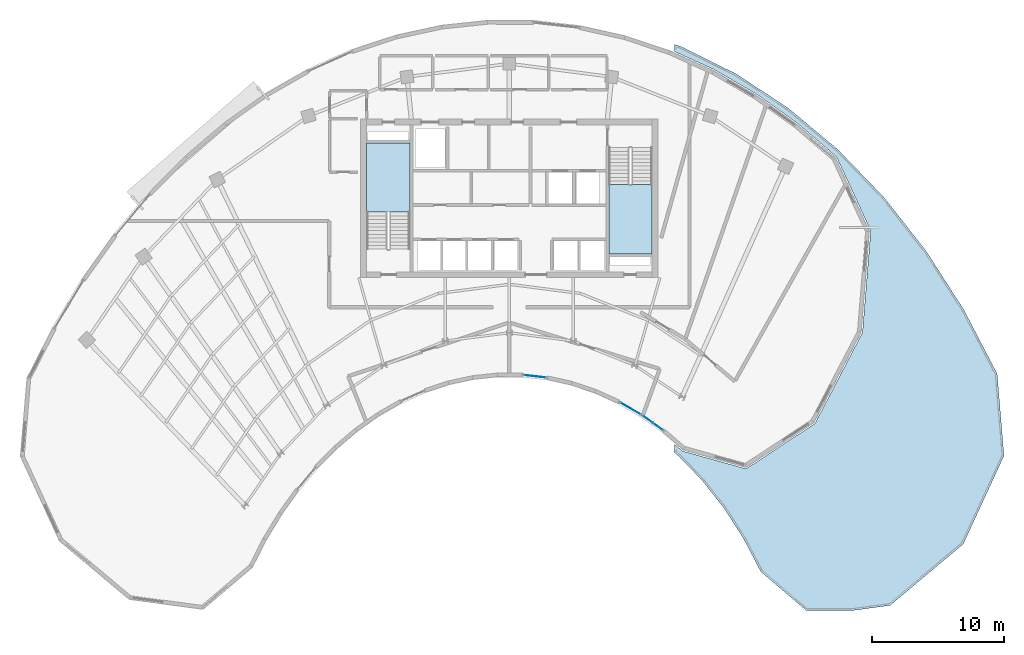
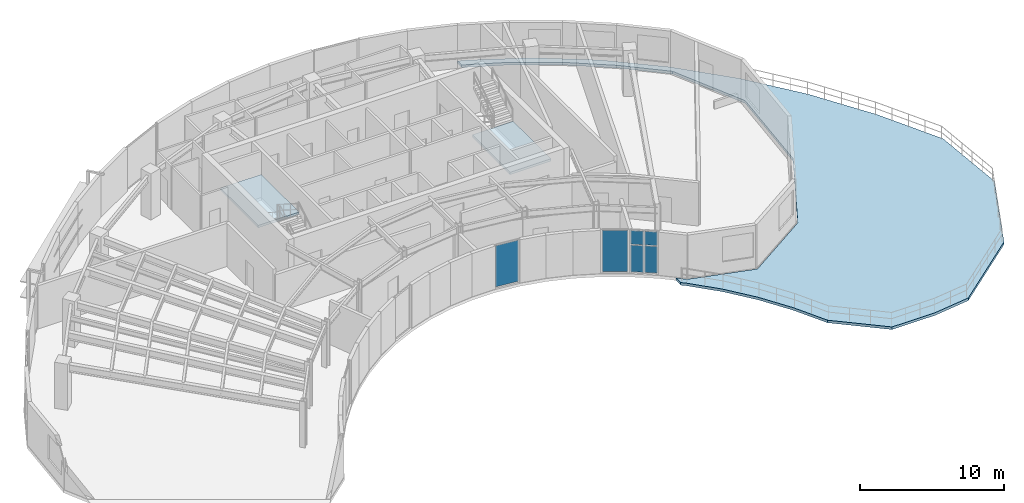
# One storey, part 6 of 15: 6 plates, 3 slabs, 5 elements without a shape of their own.
"""IFC4 building model written with IfcOpenShell, lengths in metres."""

from ifc_helpers import new_model, si_unit, direction, frame, origin, origin_2d, place, context, subcontext, project, spatial, polyline, rectangle, outline, extrude, source, transform, mapped, material, layer, layer_set, type_object, element, aggregate, save


model = new_model("IFC4")

# Units and contexts
model_context = context("Model", 3, precision=1e-05, world=origin(), true_north=direction((0.0, 1.0)))
body_context = subcontext(model_context, "Body", "Model", "MODEL_VIEW")
ifc_project = project(units=[si_unit("LENGTHUNIT", "METRE"), si_unit("AREAUNIT", "SQUARE_METRE"), si_unit("VOLUMEUNIT", "CUBIC_METRE"), si_unit("PLANEANGLEUNIT", "RADIAN"), si_unit("MASSUNIT", "GRAM", prefix="KILO")], contexts=[model_context])

# Site, building, storey
site_placement = place(None, origin())
site = spatial("IfcSite", under=ifc_project, at=site_placement, CompositionType="ELEMENT")
building_placement = place(site_placement, origin())
building = spatial("IfcBuilding", under=site, at=building_placement, Name="Breltana Convention Tower", CompositionType="ELEMENT")
storey_placement = place(building_placement, frame((0.0, 0.0, 231.300048828125)))
storey = spatial("IfcBuildingStorey", under=building, at=storey_placement, Name="L56", CompositionType="ELEMENT", Elevation=231.300048828125)

# Stair, slab
ifc_material_1 = material(Name="Concrete C40/50", Category="concrete")
stair_type = type_object("IfcStairType", Name="ST-DOG-1560-R177", PredefinedType="HALF_TURN_STAIR", material=ifc_material_1)
stair_1_placement = place(storey_placement, origin())
stair_1 = element("IfcStair", 1, at=stair_1_placement, inside=storey, type_object=stair_type, Name="L56 Protected Core Exit Stair ST-1", PredefinedType="HALF_TURN_STAIR")
ifc_layer_1 = layer(ifc_material_1, 0.199951171875, Name="Concrete C40/50")
ifc_layer_set_1 = layer_set([ifc_layer_1], Name="Concrete C40/50")
slab_type_1 = type_object("IfcSlabType", Name="SL-STAIR-LANDING-200", PredefinedType="LANDING", material=ifc_layer_set_1)
slab_1_placement = place(storey_placement, frame((0.0, 0.0, 1.75)))
slab_1 = element("IfcSlab", 2, at=slab_1_placement, type_object=slab_type_1, Name="ST-1 landing 1", PredefinedType="LANDING", context=body_context, shape_type="SweptSolid", body=[
    extrude(outline(polyline([(40.469970703125, 65.159912109375), (40.469970703125, 70.39990234375), (37.199951171875, 70.39990234375), (37.199951171875, 65.159912109375), (40.469970703125, 65.159912109375)])), origin(), (0.0, 0.0, 1.0), 0.199951171875),
])
aggregate(stair_1, [slab_1])

stair_2_placement = place(storey_placement, origin())
stair_2 = element("IfcStair", 3, at=stair_2_placement, inside=storey, type_object=stair_type, Name="L56 Protected Core Exit Stair ST-2", PredefinedType="HALF_TURN_STAIR")
slab_2_placement = place(storey_placement, frame((0.0, 0.0, 1.75)))
slab_2 = element("IfcSlab", 4, at=slab_2_placement, type_object=slab_type_1, Name="ST-2 landing 1", PredefinedType="LANDING", context=body_context, shape_type="SweptSolid", body=[
    extrude(outline(polyline([(55.530029296875, 67.239990234375), (55.530029296875, 62.0), (58.800048828125, 62.0), (58.800048828125, 67.239990234375), (55.530029296875, 67.239990234375)])), origin(), (0.0, 0.0, 1.0), 0.199951171875),
])
aggregate(stair_2, [slab_2])

# Slab
ifc_layer_2 = layer(ifc_material_1, 0.219970703125, Name="Concrete C40/50")
ifc_layer_set_2 = layer_set([ifc_layer_2], Name="Concrete C40/50")
slab_type_2 = type_object("IfcSlabType", Name="SL-TERR-220", PredefinedType="FLOOR", material=ifc_layer_set_2)
slab_3_placement = place(storey_placement, frame((0.0, 0.0, -0.219970703125)))
element("IfcSlab", 5, at=slab_3_placement, inside=storey, type_object=slab_type_2, Name="L56 East Crescent Shoulder Sky Terrace 1", PredefinedType="FLOOR", context=body_context, shape_type="SweptSolid", body=[
    extrude(outline(polyline([(82.354736328125, 40.0185546875), (76.8251953125, 35.388427734375), (73.960205078125, 35.0), (70.498779296875, 35.0), (67.038818359375, 37.941650390625), (65.739013671875, 40.43798828125), (64.2578125, 42.745849609375), (62.60986328125, 44.84130859375), (60.8125, 46.70263671875), (60.5, 46.96337890625), (60.5, 47.60302734375), (61.095703125, 47.091064453125), (61.10107421875, 47.0869140625), (61.106689453125, 47.08349609375), (61.112548828125, 47.080810546875), (61.118896484375, 47.07861328125), (65.905029296875, 45.7431640625), (65.91064453125, 45.741943359375), (65.916259765625, 45.7412109375), (65.922119140625, 45.740966796875), (65.927734375, 45.7412109375), (65.933349609375, 45.7421875), (65.938720703125, 45.74365234375), (65.944091796875, 45.74560546875), (65.94921875, 45.748046875), (65.9541015625, 45.7509765625), (71.125, 49.16015625), (71.1298828125, 49.163818359375), (71.134521484375, 49.16796875), (71.138671875, 49.17236328125), (71.14208984375, 49.17724609375), (71.145263671875, 49.1826171875), (74.7255859375, 56.0341796875), (74.72802734375, 56.039794921875), (74.72998046875, 56.04541015625), (74.7314453125, 56.05126953125), (74.732177734375, 56.057373046875), (75.3544921875, 63.734375), (75.354736328125, 63.740478515625), (75.354248046875, 63.74658203125), (75.353271484375, 63.752685546875), (75.3515625, 63.758544921875), (75.34912109375, 63.764404296875), (72.775634765625, 69.33447265625), (72.772705078125, 69.340087890625), (72.76904296875, 69.345458984375), (72.764892578125, 69.350341796875), (72.76025390625, 69.354736328125), (69.816650390625, 71.884521484375), (69.8125, 71.887939453125), (66.7255859375, 74.089599609375), (66.720703125, 74.0927734375), (63.510986328125, 75.951904296875), (63.505615234375, 75.95458984375), (60.5, 77.319580078125), (60.5, 77.867919921875), (61.023193359375, 77.6865234375), (65.15625, 75.637939453125), (69.113525390625, 73.040283203125), (72.8544921875, 69.919921875), (76.34130859375, 66.308837890625), (79.53759765625, 62.244140625), (82.411376953125, 57.767333984375), (84.9326171875, 52.924560546875), (85.451416015625, 46.716796875), (82.354736328125, 40.0185546875)])), origin(), (0.0, 0.0, 1.0), 0.219970703125),
])

# Curtain wall, plates
ifc_material_2 = material(Name="Aluminium Anodised Bronze Frame", Category="aluminium")
ifc_layer_3 = layer(ifc_material_2, 0.18994140625, Name="Aluminium Anodised Bronze Frame")
ifc_layer_set_3 = layer_set([ifc_layer_3], Name="Aluminium Anodised Bronze Frame")
curtain_wall_type = type_object("IfcCurtainWallType", Name="CW-SYS-1", PredefinedType="NOTDEFINED", material=ifc_layer_set_3)
curtain_wall_1_placement = place(storey_placement, origin())
curtain_wall_1 = element("IfcCurtainWall", 6, at=curtain_wall_1_placement, inside=storey, type_object=curtain_wall_type, Name="L56 inner south-court glazing 1", PredefinedType="NOTDEFINED")
ifc_material_3 = material(Name="Glass Low-E Double Glazing", Category="glass")
ifc_layer_4 = layer(ifc_material_3, 0.028076171875, Name="Glass Low-E Double Glazing")
ifc_layer_set_4 = layer_set([ifc_layer_4], Name="Glass Low-E Double Glazing")
plate_type = type_object("IfcPlateType", Name="CWP-IGU-28", PredefinedType="CURTAIN_PANEL", material=ifc_layer_set_4)
shared_shape_1 = source(origin(), body_context, "Body", "SweptSolid", [
    extrude(rectangle(XDim=0.88720703125, YDim=0.028076171875, at=origin_2d()), origin(), (0.0, 0.0, 1.0), 2.25244140625),
])
plate_1_placement = place(storey_placement, frame((59.2490234375, 48.93115234375, 0.080078125), z_axis=(0.0, 0.0, 1.0), x_axis=(-0.814132405297, 0.580679280365, 0.0)))
plate_1 = element("IfcPlate", 7, at=plate_1_placement, type_object=plate_type, Name="CW-01 panel 1.1", PredefinedType="CURTAIN_PANEL", context=body_context, shape_type="MappedRepresentation", body=[
    mapped(shared_shape_1, transform((0.0, 0.0, 0.0), scale=1.0)),
])
plate_2_placement = place(storey_placement, frame((58.461669921875, 49.492919921875, 0.080078125), z_axis=(0.0, 0.0, 1.0), x_axis=(-0.814132405297, 0.580679280365, 0.0)))
plate_2 = element("IfcPlate", 8, at=plate_2_placement, type_object=plate_type, Name="CW-01 panel 2.1", PredefinedType="CURTAIN_PANEL", context=body_context, shape_type="MappedRepresentation", body=[
    mapped(shared_shape_1, transform((0.0, 0.0, 0.0), scale=1.0)),
])
shared_shape_2 = source(origin(), body_context, "Body", "SweptSolid", [
    extrude(rectangle(XDim=0.88720703125, YDim=0.028076171875, at=origin_2d()), origin(), (0.0, 0.0, 1.0), 1.157470703125),
])
plate_3_placement = place(storey_placement, frame((59.2490234375, 48.93115234375, 2.41259765625), z_axis=(0.0, 0.0, 1.0), x_axis=(-0.814132405297, 0.580679280365, 0.0)))
plate_3 = element("IfcPlate", 9, at=plate_3_placement, type_object=plate_type, Name="CW-01 panel 1.2", PredefinedType="CURTAIN_PANEL", context=body_context, shape_type="MappedRepresentation", body=[
    mapped(shared_shape_2, transform((0.0, 0.0, 0.0), scale=1.0)),
])
plate_4_placement = place(storey_placement, frame((58.461669921875, 49.492919921875, 2.41259765625), z_axis=(0.0, 0.0, 1.0), x_axis=(-0.814132405297, 0.580679280365, 0.0)))
plate_4 = element("IfcPlate", 10, at=plate_4_placement, type_object=plate_type, Name="CW-01 panel 2.2", PredefinedType="CURTAIN_PANEL", context=body_context, shape_type="MappedRepresentation", body=[
    mapped(shared_shape_2, transform((0.0, 0.0, 0.0), scale=1.0)),
])
aggregate(curtain_wall_1, [plate_1, plate_3, plate_2, plate_4])

# Curtain wall, plate
curtain_wall_2_placement = place(storey_placement, origin())
curtain_wall_2 = element("IfcCurtainWall", 11, at=curtain_wall_2_placement, inside=storey, type_object=curtain_wall_type, Name="L56 inner south-court glazing 2", PredefinedType="NOTDEFINED")
shared_shape_3 = source(origin(), body_context, "Body", "SweptSolid", [
    extrude(rectangle(XDim=1.810791015625, YDim=0.028076171875, at=origin_2d()), origin(), (0.0, 0.0, 1.0), 3.489990234375),
])
plate_5_placement = place(storey_placement, frame((57.168212890625, 50.300048828125, 0.080078125), z_axis=(0.0, 0.0, 1.0), x_axis=(-0.865337111796, 0.501190266215, 0.0)))
plate_5 = element("IfcPlate", 12, at=plate_5_placement, type_object=plate_type, Name="CW-01 panel 1.1", PredefinedType="CURTAIN_PANEL", context=body_context, shape_type="MappedRepresentation", body=[
    mapped(shared_shape_3, transform((0.0, 0.0, 0.0), scale=1.0)),
])
aggregate(curtain_wall_2, [plate_5])

curtain_wall_3_placement = place(storey_placement, origin())
curtain_wall_3 = element("IfcCurtainWall", 13, at=curtain_wall_3_placement, inside=storey, type_object=curtain_wall_type, Name="L56 inner south-court glazing 3", PredefinedType="NOTDEFINED")
shared_shape_4 = source(origin(), body_context, "Body", "SweptSolid", [
    extrude(rectangle(XDim=1.703125, YDim=0.028076171875, at=origin_2d()), origin(), (0.0, 0.0, 1.0), 3.489990234375),
])
plate_6_placement = place(storey_placement, frame((49.9248046875, 52.733154296875, 0.080078125), z_axis=(0.0, 0.0, 1.0), x_axis=(-0.993791097907, 0.111262094719, 0.0)))
plate_6 = element("IfcPlate", 14, at=plate_6_placement, type_object=plate_type, Name="CW-01 panel 1.1", PredefinedType="CURTAIN_PANEL", context=body_context, shape_type="MappedRepresentation", body=[
    mapped(shared_shape_4, transform((0.0, 0.0, 0.0), scale=1.0)),
])
aggregate(curtain_wall_3, [plate_6])

save(model, "model.ifc")
